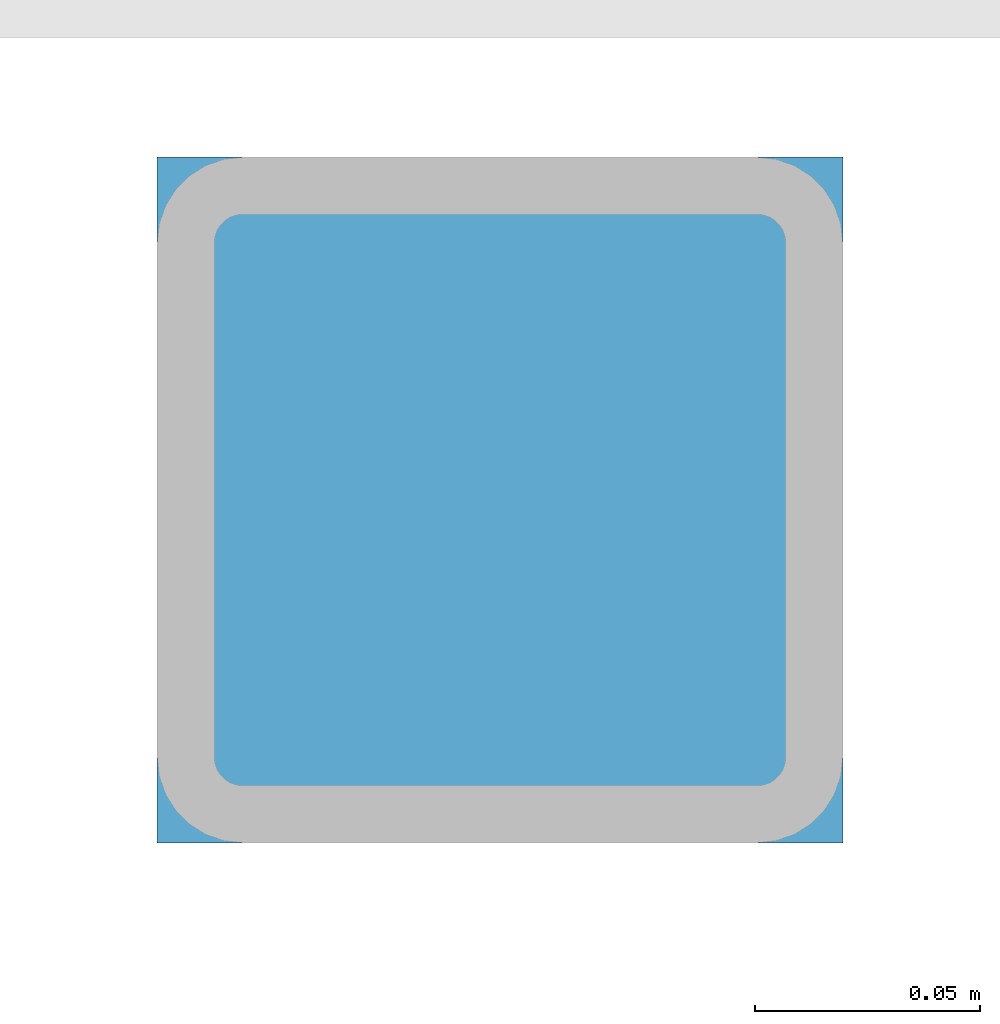
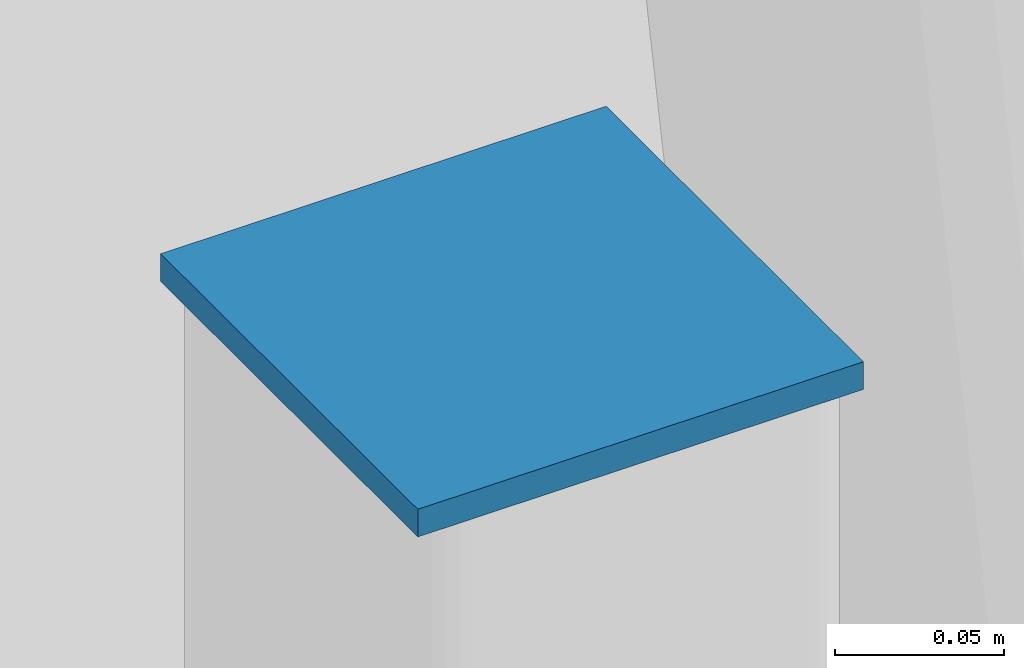
# One storey, part 93 of 115: 1 discrete accessory.
"""IFC4 building model written with IfcOpenShell, lengths in metres."""

from ifc_helpers import new_model, si_unit, direction, frame, origin, origin_2d, place, context, subcontext, project, spatial, rectangle, extrude, material, layer, layer_set, type_object, element, save


model = new_model("IFC4")

# Units and contexts
model_context = context("Model", 3, precision=1e-05, world=origin(), true_north=direction((0.0, 1.0)))
body_context = subcontext(model_context, "Body", "Model", "MODEL_VIEW")
ifc_project = project(units=[si_unit("LENGTHUNIT", "METRE"), si_unit("AREAUNIT", "SQUARE_METRE"), si_unit("VOLUMEUNIT", "CUBIC_METRE"), si_unit("PLANEANGLEUNIT", "RADIAN"), si_unit("MASSUNIT", "GRAM", prefix="KILO")], contexts=[model_context])

# Site, building, storey
site_placement = place(None, origin())
site = spatial("IfcSite", under=ifc_project, at=site_placement, CompositionType="ELEMENT")
building_placement = place(site_placement, origin())
building = spatial("IfcBuilding", under=site, at=building_placement, Name="Windward Yard Aquatics Centre", CompositionType="ELEMENT")
storey_placement = place(building_placement, frame((0.0, 0.0, 5.0)))
storey = spatial("IfcBuildingStorey", under=building, at=storey_placement, Name="L01", CompositionType="ELEMENT", Elevation=5.0)

# Discrete accessory
ifc_material = material(Name="Steel S355", Category="steel")
ifc_layer = layer(ifc_material, 0.010009765625)
ifc_layer_set = layer_set([ifc_layer], Name="End cap plate 10 mm RHS152.4x152.4x12.7")
discrete_accessory_type = type_object("IfcDiscreteAccessoryType", Name="End cap plate 10 mm RHS152.4x152.4x12.7", PredefinedType="USERDEFINED", material=ifc_layer_set)
discrete_accessory_placement = place(storey_placement, frame((139.10009765625, 95.77490234375, 3.742919921875), z_axis=(0.0, 0.0, 1.0), x_axis=(1.0, 0.0, 0.0)))
element("IfcDiscreteAccessory", 1, at=discrete_accessory_placement, inside=storey, type_object=discrete_accessory_type, Name="End cap", ObjectType="END CAP", PredefinedType="USERDEFINED", context=body_context, shape_type="SweptSolid", body=[
    extrude(rectangle(XDim=0.15234375, YDim=0.15234375, at=origin_2d()), origin(), (0.0, 0.0, 1.0), 0.010009765625),
])

save(model, "model.ifc")
